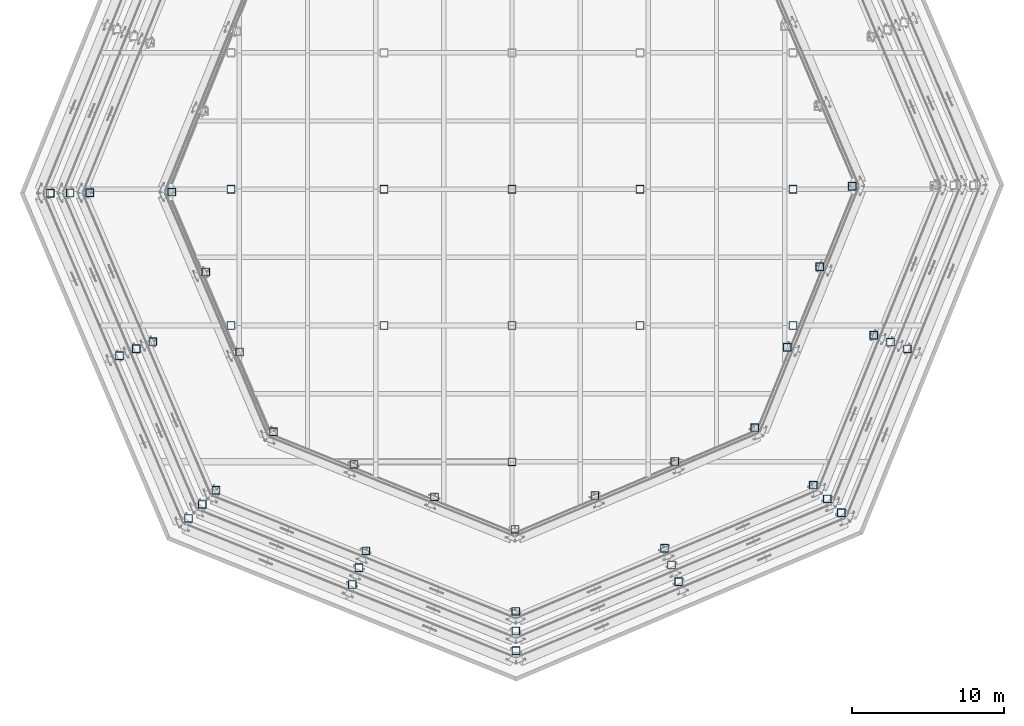
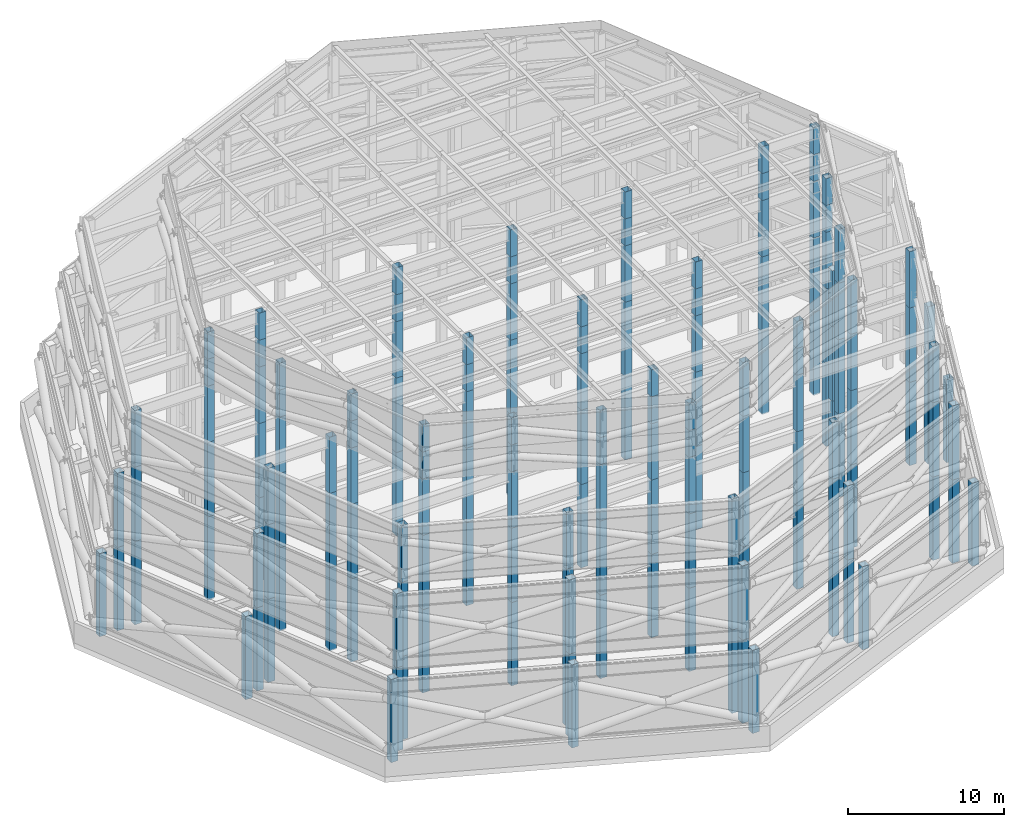
# One storey, part 1 of 19: 164 columns.
"""IFC4 building model written with IfcOpenShell, lengths in metres."""

from ifc_helpers import new_model, si_unit, direction, frame, origin, origin_2d, place, context, subcontext, project, spatial, hollow_rectangle, extrude, material, material_profile, profile_set, type_object, element, save


model = new_model("IFC4")

# Units and contexts
model_context = context("Model", 3, precision=1e-05, world=origin(), true_north=direction((0.0, 1.0)))
body_context = subcontext(model_context, "Body", "Model", "MODEL_VIEW")
ifc_project = project(units=[si_unit("LENGTHUNIT", "METRE"), si_unit("AREAUNIT", "SQUARE_METRE"), si_unit("VOLUMEUNIT", "CUBIC_METRE"), si_unit("PLANEANGLEUNIT", "RADIAN"), si_unit("MASSUNIT", "GRAM", prefix="KILO")], contexts=[model_context])

# Site, building, storey
site_placement = place(None, origin())
site = spatial("IfcSite", under=ifc_project, at=site_placement, CompositionType="ELEMENT")
building_placement = place(site_placement, origin())
building = spatial("IfcBuilding", under=site, at=building_placement, Name="Orlundy Tower", CompositionType="ELEMENT")
storey_placement = place(building_placement, frame((0.0, 0.0, 304.300048828125)))
storey = spatial("IfcBuildingStorey", under=building, at=storey_placement, Name="Roof", CompositionType="ELEMENT", Elevation=304.300048828125)

# Columns
ifc_material = material(Name="Steel ASTM A500 Gr C", Category="steel")
ifc_material_profile = material_profile(ifc_material, hollow_rectangle(XDim=0.508056640625, YDim=0.508056640625, WallThickness=0.017578125, at=origin_2d()), Name="HSS20X20X3/4")
ifc_profile_set = profile_set([ifc_material_profile], Name="Steel ASTM A500 Gr C")
column_type = type_object("IfcColumnType", Name="CROWN FRAME column HSS20X20X3/4", PredefinedType="COLUMN", material=ifc_profile_set)
for number, where, z_axis, x_axis, name in (
    (1, (-30.4638671875, -0.26611328125, 0.0), (0.0, 0.0, 1.0), (1.0, 0.0, 0.0), "CROWN FRAME post 1-07"),
    (2, (-25.908447265625, -10.997802734375, 0.0), (0.0, 0.0, 1.0), (1.0, 0.0, 0.0), "CROWN FRAME post 1-08"),
    (3, (-21.35302734375, -21.729248046875, 0.0), (0.0, 0.0, 1.0), (1.0, 0.0, 0.0), "CROWN FRAME post 1-09"),
    (4, (-10.54345703125, -26.0966796875, 0.0), (0.0, 0.0, 1.0), (1.0, 0.0, 0.0), "CROWN FRAME post 1-10"),
    (5, (0.26611328125, -30.4638671875, 0.0), (0.0, 0.0, 1.0), (1.0, 0.0, 0.0), "CROWN FRAME post 1-11"),
    (6, (10.997802734375, -25.908447265625, 0.0), (0.0, 0.0, 1.0), (1.0, 0.0, 0.0), "CROWN FRAME post 1-12"),
    (7, (21.729248046875, -21.35302734375, 0.0), (0.0, 0.0, 1.0), (1.0, 0.0, 0.0), "CROWN FRAME post 1-13"),
    (8, (26.0966796875, -10.54345703125, 0.0), (0.0, 0.0, 1.0), (1.0, 0.0, 0.0), "CROWN FRAME post 1-14"),
):
    element("IfcColumn", number, at=place(storey_placement, frame(where, z_axis=z_axis, x_axis=x_axis)), inside=storey, type_object=column_type, Name=name, PredefinedType="COLUMN", context=body_context, shape_type="SweptSolid", body=[
        extrude(hollow_rectangle(XDim=0.508056640625, YDim=0.508056640625, WallThickness=0.017578125, at=origin_2d()), origin(), (0.0, 0.0, 1.0), 6.47998046875),
    ])
for number, where, z_axis, x_axis, name in (
    (9, (-29.1650390625, -0.254638671875, 6.5), (0.0, 0.0, 1.0), (1.0, 0.0, 0.0), "CROWN FRAME post 2-07"),
    (10, (-24.803955078125, -10.52880859375, 6.5), (0.0, 0.0, 1.0), (1.0, 0.0, 0.0), "CROWN FRAME post 2-08"),
    (11, (-20.442626953125, -20.802978515625, 6.5), (0.0, 0.0, 1.0), (1.0, 0.0, 0.0), "CROWN FRAME post 2-09"),
    (12, (-10.093994140625, -24.98388671875, 6.5), (0.0, 0.0, 1.0), (1.0, 0.0, 0.0), "CROWN FRAME post 2-10"),
    (13, (0.254638671875, -29.1650390625, 6.5), (0.0, 0.0, 1.0), (1.0, 0.0, 0.0), "CROWN FRAME post 2-11"),
    (14, (10.52880859375, -24.803955078125, 6.5), (0.0, 0.0, 1.0), (1.0, 0.0, 0.0), "CROWN FRAME post 2-12"),
    (15, (20.802978515625, -20.442626953125, 6.5), (0.0, 0.0, 1.0), (1.0, 0.0, 0.0), "CROWN FRAME post 2-13"),
    (16, (24.98388671875, -10.093994140625, 6.5), (0.0, 0.0, 1.0), (1.0, 0.0, 0.0), "CROWN FRAME post 2-14"),
):
    element("IfcColumn", number, at=place(storey_placement, frame(where, z_axis=z_axis, x_axis=x_axis)), inside=storey, type_object=column_type, Name=name, PredefinedType="COLUMN", context=body_context, shape_type="SweptSolid", body=[
        extrude(hollow_rectangle(XDim=0.508056640625, YDim=0.508056640625, WallThickness=0.017578125, at=origin_2d()), origin(), (0.0, 0.0, 1.0), 5.780029296875),
    ])
for number, where, z_axis, x_axis, name in (
    (17, (-27.8662109375, -0.243408203125, 12.300048828125), (0.0, 0.0, 1.0), (1.0, 0.0, 0.0), "CROWN FRAME post 3-07"),
    (18, (-23.69921875, -10.059814453125, 12.300048828125), (0.0, 0.0, 1.0), (1.0, 0.0, 0.0), "CROWN FRAME post 3-08"),
    (19, (-19.5322265625, -19.87646484375, 12.300048828125), (0.0, 0.0, 1.0), (1.0, 0.0, 0.0), "CROWN FRAME post 3-09"),
    (20, (-9.64453125, -23.871337890625, 12.300048828125), (0.0, 0.0, 1.0), (1.0, 0.0, 0.0), "CROWN FRAME post 3-10"),
    (21, (0.243408203125, -27.8662109375, 12.300048828125), (0.0, 0.0, 1.0), (1.0, 0.0, 0.0), "CROWN FRAME post 3-11"),
    (22, (10.059814453125, -23.69921875, 12.300048828125), (0.0, 0.0, 1.0), (1.0, 0.0, 0.0), "CROWN FRAME post 3-12"),
    (23, (19.87646484375, -19.5322265625, 12.300048828125), (0.0, 0.0, 1.0), (1.0, 0.0, 0.0), "CROWN FRAME post 3-13"),
    (24, (23.871337890625, -9.64453125, 12.300048828125), (0.0, 0.0, 1.0), (1.0, 0.0, 0.0), "CROWN FRAME post 3-14"),
):
    element("IfcColumn", number, at=place(storey_placement, frame(where, z_axis=z_axis, x_axis=x_axis)), inside=storey, type_object=column_type, Name=name, PredefinedType="COLUMN", context=body_context, shape_type="SweptSolid", body=[
        extrude(hollow_rectangle(XDim=0.508056640625, YDim=0.508056640625, WallThickness=0.017578125, at=origin_2d()), origin(), (0.0, 0.0, 1.0), 4.39990234375),
    ])
for number, where, z_axis, x_axis, name in (
    (25, (-22.45458984375, -0.196044921875, 16.699951171875), (0.0, 0.0, 1.0), (1.0, 0.0, 0.0), "CROWN FRAME post 4-10"),
    (26, (-20.216064453125, -5.469482421875, 16.699951171875), (0.0, 0.0, 1.0), (1.0, 0.0, 0.0), "CROWN FRAME post 4-11"),
    (27, (-17.9775390625, -10.742919921875, 16.699951171875), (0.0, 0.0, 1.0), (1.0, 0.0, 0.0), "CROWN FRAME post 4-12"),
    (28, (-15.739013671875, -16.016357421875, 16.699951171875), (0.0, 0.0, 1.0), (1.0, 0.0, 0.0), "CROWN FRAME post 4-13"),
    (29, (-10.42724609375, -18.162353515625, 16.699951171875), (0.0, 0.0, 1.0), (1.0, 0.0, 0.0), "CROWN FRAME post 4-14"),
    (30, (-5.115478515625, -20.308349609375, 16.699951171875), (0.0, 0.0, 1.0), (1.0, 0.0, 0.0), "CROWN FRAME post 4-15"),
    (31, (0.196044921875, -22.45458984375, 16.699951171875), (0.0, 0.0, 1.0), (1.0, 0.0, 0.0), "CROWN FRAME post 4-16"),
    (32, (5.469482421875, -20.216064453125, 16.699951171875), (0.0, 0.0, 1.0), (1.0, 0.0, 0.0), "CROWN FRAME post 4-17"),
    (33, (10.742919921875, -17.9775390625, 16.699951171875), (0.0, 0.0, 1.0), (1.0, 0.0, 0.0), "CROWN FRAME post 4-18"),
    (34, (16.016357421875, -15.739013671875, 16.699951171875), (0.0, 0.0, 1.0), (1.0, 0.0, 0.0), "CROWN FRAME post 4-19"),
    (35, (18.162353515625, -10.42724609375, 16.699951171875), (0.0, 0.0, 1.0), (1.0, 0.0, 0.0), "CROWN FRAME post 4-20"),
    (36, (20.308349609375, -5.115478515625, 16.699951171875), (0.0, 0.0, 1.0), (1.0, 0.0, 0.0), "CROWN FRAME post 4-21"),
    (37, (22.45458984375, 0.196044921875, 16.699951171875), (0.0, 0.0, 1.0), (1.0, 0.0, 0.0), "CROWN FRAME post 4-22"),
):
    element("IfcColumn", number, at=place(storey_placement, frame(where, z_axis=z_axis, x_axis=x_axis)), inside=storey, type_object=column_type, Name=name, PredefinedType="COLUMN", context=body_context, shape_type="SweptSolid", body=[
        extrude(hollow_rectangle(XDim=0.508056640625, YDim=0.508056640625, WallThickness=0.017578125, at=origin_2d()), origin(), (0.0, 0.0, 1.0), 2.10009765625),
    ])
for number, where, z_axis, x_axis, name in (
    (38, (-22.45458984375, -0.196044921875, 18.800048828125), (0.0, 0.0, 1.0), (1.0, 0.0, 0.0), "CROWN FRAME post 5-10"),
    (39, (-20.216064453125, -5.469482421875, 18.800048828125), (0.0, 0.0, 1.0), (1.0, 0.0, 0.0), "CROWN FRAME post 5-11"),
    (40, (-17.9775390625, -10.742919921875, 18.800048828125), (0.0, 0.0, 1.0), (1.0, 0.0, 0.0), "CROWN FRAME post 5-12"),
    (41, (-15.739013671875, -16.016357421875, 18.800048828125), (0.0, 0.0, 1.0), (1.0, 0.0, 0.0), "CROWN FRAME post 5-13"),
    (42, (-10.42724609375, -18.162353515625, 18.800048828125), (0.0, 0.0, 1.0), (1.0, 0.0, 0.0), "CROWN FRAME post 5-14"),
    (43, (-5.115478515625, -20.308349609375, 18.800048828125), (0.0, 0.0, 1.0), (1.0, 0.0, 0.0), "CROWN FRAME post 5-15"),
    (44, (0.196044921875, -22.45458984375, 18.800048828125), (0.0, 0.0, 1.0), (1.0, 0.0, 0.0), "CROWN FRAME post 5-16"),
    (45, (5.469482421875, -20.216064453125, 18.800048828125), (0.0, 0.0, 1.0), (1.0, 0.0, 0.0), "CROWN FRAME post 5-17"),
    (46, (10.742919921875, -17.9775390625, 18.800048828125), (0.0, 0.0, 1.0), (1.0, 0.0, 0.0), "CROWN FRAME post 5-18"),
    (47, (16.016357421875, -15.739013671875, 18.800048828125), (0.0, 0.0, 1.0), (1.0, 0.0, 0.0), "CROWN FRAME post 5-19"),
    (48, (18.162353515625, -10.42724609375, 18.800048828125), (0.0, 0.0, 1.0), (1.0, 0.0, 0.0), "CROWN FRAME post 5-20"),
    (49, (20.308349609375, -5.115478515625, 18.800048828125), (0.0, 0.0, 1.0), (1.0, 0.0, 0.0), "CROWN FRAME post 5-21"),
    (50, (22.45458984375, 0.196044921875, 18.800048828125), (0.0, 0.0, 1.0), (1.0, 0.0, 0.0), "CROWN FRAME post 5-22"),
):
    element("IfcColumn", number, at=place(storey_placement, frame(where, z_axis=z_axis, x_axis=x_axis)), inside=storey, type_object=column_type, Name=name, PredefinedType="COLUMN", context=body_context, shape_type="SweptSolid", body=[
        extrude(hollow_rectangle(XDim=0.508056640625, YDim=0.508056640625, WallThickness=0.017578125, at=origin_2d()), origin(), (0.0, 0.0, 1.0), 2.099853515625),
    ])
for number, where, z_axis, x_axis, name in (
    (51, (-18.550048828125, -9.0, 0.0), (0.0, 0.0, 1.0), (1.0, 0.0, 0.0), "CROWN FRAME interior post 01 frame 1"),
    (52, (-18.550048828125, 0.0, 0.0), (0.0, 0.0, 1.0), (1.0, 0.0, 0.0), "CROWN FRAME interior post 02 frame 1"),
    (53, (-8.449951171875, -9.0, 0.0), (0.0, 0.0, 1.0), (1.0, 0.0, 0.0), "CROWN FRAME interior post 04 frame 1"),
    (54, (-8.449951171875, 0.0, 0.0), (0.0, 0.0, 1.0), (1.0, 0.0, 0.0), "CROWN FRAME interior post 05 frame 1"),
    (55, (0.0, -18.0, 0.0), (0.0, 0.0, 1.0), (1.0, 0.0, 0.0), "CROWN FRAME interior post 07 frame 1"),
    (56, (0.0, -9.0, 0.0), (0.0, 0.0, 1.0), (1.0, 0.0, 0.0), "CROWN FRAME interior post 08 frame 1"),
    (57, (0.0, 0.0, 0.0), (0.0, 0.0, 1.0), (1.0, 0.0, 0.0), "CROWN FRAME interior post 09 frame 1"),
    (58, (8.449951171875, -9.0, 0.0), (0.0, 0.0, 1.0), (1.0, 0.0, 0.0), "CROWN FRAME interior post 12 frame 1"),
    (59, (8.449951171875, 0.0, 0.0), (0.0, 0.0, 1.0), (1.0, 0.0, 0.0), "CROWN FRAME interior post 13 frame 1"),
    (60, (18.550048828125, -9.0, 0.0), (0.0, 0.0, 1.0), (1.0, 0.0, 0.0), "CROWN FRAME interior post 15 frame 1"),
    (61, (18.550048828125, 0.0, 0.0), (0.0, 0.0, 1.0), (1.0, 0.0, 0.0), "CROWN FRAME interior post 16 frame 1"),
    (62, (-29.1650390625, -0.254638671875, 0.0), (0.0, 0.0, 1.0), (1.0, 0.0, 0.0), "CROWN FRAME interior post 24 frame 1"),
    (63, (-24.803955078125, -10.52880859375, 0.0), (0.0, 0.0, 1.0), (1.0, 0.0, 0.0), "CROWN FRAME interior post 25 frame 1"),
    (64, (-20.442626953125, -20.802978515625, 0.0), (0.0, 0.0, 1.0), (1.0, 0.0, 0.0), "CROWN FRAME interior post 26 frame 1"),
    (65, (-10.093994140625, -24.98388671875, 0.0), (0.0, 0.0, 1.0), (1.0, 0.0, 0.0), "CROWN FRAME interior post 27 frame 1"),
    (66, (0.254638671875, -29.1650390625, 0.0), (0.0, 0.0, 1.0), (1.0, 0.0, 0.0), "CROWN FRAME interior post 28 frame 1"),
    (67, (10.52880859375, -24.803955078125, 0.0), (0.0, 0.0, 1.0), (1.0, 0.0, 0.0), "CROWN FRAME interior post 29 frame 1"),
    (68, (20.802978515625, -20.442626953125, 0.0), (0.0, 0.0, 1.0), (1.0, 0.0, 0.0), "CROWN FRAME interior post 30 frame 1"),
    (69, (24.98388671875, -10.093994140625, 0.0), (0.0, 0.0, 1.0), (1.0, 0.0, 0.0), "CROWN FRAME interior post 31 frame 1"),
    (70, (-27.8662109375, -0.243408203125, 0.0), (0.0, 0.0, 1.0), (1.0, 0.0, 0.0), "CROWN FRAME interior post 40 frame 1"),
    (71, (-23.69921875, -10.059814453125, 0.0), (0.0, 0.0, 1.0), (1.0, 0.0, 0.0), "CROWN FRAME interior post 41 frame 1"),
    (72, (-19.5322265625, -19.87646484375, 0.0), (0.0, 0.0, 1.0), (1.0, 0.0, 0.0), "CROWN FRAME interior post 42 frame 1"),
    (73, (-9.64453125, -23.871337890625, 0.0), (0.0, 0.0, 1.0), (1.0, 0.0, 0.0), "CROWN FRAME interior post 43 frame 1"),
    (74, (0.243408203125, -27.8662109375, 0.0), (0.0, 0.0, 1.0), (1.0, 0.0, 0.0), "CROWN FRAME interior post 44 frame 1"),
    (75, (10.059814453125, -23.69921875, 0.0), (0.0, 0.0, 1.0), (1.0, 0.0, 0.0), "CROWN FRAME interior post 45 frame 1"),
    (76, (19.87646484375, -19.5322265625, 0.0), (0.0, 0.0, 1.0), (1.0, 0.0, 0.0), "CROWN FRAME interior post 46 frame 1"),
    (77, (23.871337890625, -9.64453125, 0.0), (0.0, 0.0, 1.0), (1.0, 0.0, 0.0), "CROWN FRAME interior post 47 frame 1"),
    (78, (-22.45458984375, -0.196044921875, 0.0), (0.0, 0.0, 1.0), (1.0, 0.0, 0.0), "CROWN FRAME interior post 59 frame 1"),
    (79, (-20.216064453125, -5.469482421875, 0.0), (0.0, 0.0, 1.0), (1.0, 0.0, 0.0), "CROWN FRAME interior post 60 frame 1"),
    (80, (-17.9775390625, -10.742919921875, 0.0), (0.0, 0.0, 1.0), (1.0, 0.0, 0.0), "CROWN FRAME interior post 61 frame 1"),
    (81, (-15.739013671875, -16.016357421875, 0.0), (0.0, 0.0, 1.0), (1.0, 0.0, 0.0), "CROWN FRAME interior post 62 frame 1"),
    (82, (-10.42724609375, -18.162353515625, 0.0), (0.0, 0.0, 1.0), (1.0, 0.0, 0.0), "CROWN FRAME interior post 63 frame 1"),
    (83, (-5.115478515625, -20.308349609375, 0.0), (0.0, 0.0, 1.0), (1.0, 0.0, 0.0), "CROWN FRAME interior post 64 frame 1"),
    (84, (0.196044921875, -22.45458984375, 0.0), (0.0, 0.0, 1.0), (1.0, 0.0, 0.0), "CROWN FRAME interior post 65 frame 1"),
    (85, (5.469482421875, -20.216064453125, 0.0), (0.0, 0.0, 1.0), (1.0, 0.0, 0.0), "CROWN FRAME interior post 66 frame 1"),
    (86, (10.742919921875, -17.9775390625, 0.0), (0.0, 0.0, 1.0), (1.0, 0.0, 0.0), "CROWN FRAME interior post 67 frame 1"),
    (87, (16.016357421875, -15.739013671875, 0.0), (0.0, 0.0, 1.0), (1.0, 0.0, 0.0), "CROWN FRAME interior post 68 frame 1"),
    (88, (18.162353515625, -10.42724609375, 0.0), (0.0, 0.0, 1.0), (1.0, 0.0, 0.0), "CROWN FRAME interior post 69 frame 1"),
    (89, (20.308349609375, -5.115478515625, 0.0), (0.0, 0.0, 1.0), (1.0, 0.0, 0.0), "CROWN FRAME interior post 70 frame 1"),
    (90, (22.45458984375, 0.196044921875, 0.0), (0.0, 0.0, 1.0), (1.0, 0.0, 0.0), "CROWN FRAME interior post 71 frame 1"),
):
    element("IfcColumn", number, at=place(storey_placement, frame(where, z_axis=z_axis, x_axis=x_axis)), inside=storey, type_object=column_type, Name=name, PredefinedType="COLUMN", context=body_context, shape_type="SweptSolid", body=[
        extrude(hollow_rectangle(XDim=0.508056640625, YDim=0.508056640625, WallThickness=0.017578125, at=origin_2d()), origin(), (0.0, 0.0, 1.0), 6.5),
    ])
for number, where, z_axis, x_axis, name in (
    (91, (-18.550048828125, -9.0, 6.5), (0.0, 0.0, 1.0), (1.0, 0.0, 0.0), "CROWN FRAME interior post 01 frame 2"),
    (92, (-18.550048828125, 0.0, 6.5), (0.0, 0.0, 1.0), (1.0, 0.0, 0.0), "CROWN FRAME interior post 02 frame 2"),
    (93, (-8.449951171875, -9.0, 6.5), (0.0, 0.0, 1.0), (1.0, 0.0, 0.0), "CROWN FRAME interior post 04 frame 2"),
    (94, (-8.449951171875, 0.0, 6.5), (0.0, 0.0, 1.0), (1.0, 0.0, 0.0), "CROWN FRAME interior post 05 frame 2"),
    (95, (0.0, -18.0, 6.5), (0.0, 0.0, 1.0), (1.0, 0.0, 0.0), "CROWN FRAME interior post 07 frame 2"),
    (96, (0.0, -9.0, 6.5), (0.0, 0.0, 1.0), (1.0, 0.0, 0.0), "CROWN FRAME interior post 08 frame 2"),
    (97, (0.0, 0.0, 6.5), (0.0, 0.0, 1.0), (1.0, 0.0, 0.0), "CROWN FRAME interior post 09 frame 2"),
    (98, (8.449951171875, -9.0, 6.5), (0.0, 0.0, 1.0), (1.0, 0.0, 0.0), "CROWN FRAME interior post 12 frame 2"),
    (99, (8.449951171875, 0.0, 6.5), (0.0, 0.0, 1.0), (1.0, 0.0, 0.0), "CROWN FRAME interior post 13 frame 2"),
    (100, (18.550048828125, -9.0, 6.5), (0.0, 0.0, 1.0), (1.0, 0.0, 0.0), "CROWN FRAME interior post 15 frame 2"),
    (101, (18.550048828125, 0.0, 6.5), (0.0, 0.0, 1.0), (1.0, 0.0, 0.0), "CROWN FRAME interior post 16 frame 2"),
    (102, (-27.8662109375, -0.243408203125, 6.5), (0.0, 0.0, 1.0), (1.0, 0.0, 0.0), "CROWN FRAME interior post 24 frame 2"),
    (103, (-23.69921875, -10.059814453125, 6.5), (0.0, 0.0, 1.0), (1.0, 0.0, 0.0), "CROWN FRAME interior post 25 frame 2"),
    (104, (-19.5322265625, -19.87646484375, 6.5), (0.0, 0.0, 1.0), (1.0, 0.0, 0.0), "CROWN FRAME interior post 26 frame 2"),
    (105, (-9.64453125, -23.871337890625, 6.5), (0.0, 0.0, 1.0), (1.0, 0.0, 0.0), "CROWN FRAME interior post 27 frame 2"),
    (106, (0.243408203125, -27.8662109375, 6.5), (0.0, 0.0, 1.0), (1.0, 0.0, 0.0), "CROWN FRAME interior post 28 frame 2"),
    (107, (10.059814453125, -23.69921875, 6.5), (0.0, 0.0, 1.0), (1.0, 0.0, 0.0), "CROWN FRAME interior post 29 frame 2"),
    (108, (19.87646484375, -19.5322265625, 6.5), (0.0, 0.0, 1.0), (1.0, 0.0, 0.0), "CROWN FRAME interior post 30 frame 2"),
    (109, (23.871337890625, -9.64453125, 6.5), (0.0, 0.0, 1.0), (1.0, 0.0, 0.0), "CROWN FRAME interior post 31 frame 2"),
    (110, (-22.45458984375, -0.196044921875, 6.5), (0.0, 0.0, 1.0), (1.0, 0.0, 0.0), "CROWN FRAME interior post 43 frame 2"),
    (111, (-20.216064453125, -5.469482421875, 6.5), (0.0, 0.0, 1.0), (1.0, 0.0, 0.0), "CROWN FRAME interior post 44 frame 2"),
    (112, (-17.9775390625, -10.742919921875, 6.5), (0.0, 0.0, 1.0), (1.0, 0.0, 0.0), "CROWN FRAME interior post 45 frame 2"),
    (113, (-15.739013671875, -16.016357421875, 6.5), (0.0, 0.0, 1.0), (1.0, 0.0, 0.0), "CROWN FRAME interior post 46 frame 2"),
    (114, (-10.42724609375, -18.162353515625, 6.5), (0.0, 0.0, 1.0), (1.0, 0.0, 0.0), "CROWN FRAME interior post 47 frame 2"),
    (115, (-5.115478515625, -20.308349609375, 6.5), (0.0, 0.0, 1.0), (1.0, 0.0, 0.0), "CROWN FRAME interior post 48 frame 2"),
    (116, (0.196044921875, -22.45458984375, 6.5), (0.0, 0.0, 1.0), (1.0, 0.0, 0.0), "CROWN FRAME interior post 49 frame 2"),
    (117, (5.469482421875, -20.216064453125, 6.5), (0.0, 0.0, 1.0), (1.0, 0.0, 0.0), "CROWN FRAME interior post 50 frame 2"),
    (118, (10.742919921875, -17.9775390625, 6.5), (0.0, 0.0, 1.0), (1.0, 0.0, 0.0), "CROWN FRAME interior post 51 frame 2"),
    (119, (16.016357421875, -15.739013671875, 6.5), (0.0, 0.0, 1.0), (1.0, 0.0, 0.0), "CROWN FRAME interior post 52 frame 2"),
    (120, (18.162353515625, -10.42724609375, 6.5), (0.0, 0.0, 1.0), (1.0, 0.0, 0.0), "CROWN FRAME interior post 53 frame 2"),
    (121, (20.308349609375, -5.115478515625, 6.5), (0.0, 0.0, 1.0), (1.0, 0.0, 0.0), "CROWN FRAME interior post 54 frame 2"),
    (122, (22.45458984375, 0.196044921875, 6.5), (0.0, 0.0, 1.0), (1.0, 0.0, 0.0), "CROWN FRAME interior post 55 frame 2"),
):
    element("IfcColumn", number, at=place(storey_placement, frame(where, z_axis=z_axis, x_axis=x_axis)), inside=storey, type_object=column_type, Name=name, PredefinedType="COLUMN", context=body_context, shape_type="SweptSolid", body=[
        extrude(hollow_rectangle(XDim=0.508056640625, YDim=0.508056640625, WallThickness=0.017578125, at=origin_2d()), origin(), (0.0, 0.0, 1.0), 5.800048828125),
    ])
column_1_placement = place(storey_placement, frame((-18.550048828125, -9.0, 12.300048828125), z_axis=(0.0, 0.0, 1.0), x_axis=(1.0, 0.0, 0.0)))
element("IfcColumn", 123, at=column_1_placement, inside=storey, type_object=column_type, Name="CROWN FRAME interior post 01 frame 3", PredefinedType="COLUMN", context=body_context, shape_type="SweptSolid", body=[
    extrude(hollow_rectangle(XDim=0.508056640625, YDim=0.508056640625, WallThickness=0.017578125, at=origin_2d()), origin(), (0.0, 0.0, 1.0), 4.3798828125),
])
for number, where, z_axis, x_axis, name in (
    (124, (-18.550048828125, 0.0, 12.300048828125), (0.0, 0.0, 1.0), (1.0, 0.0, 0.0), "CROWN FRAME interior post 02 frame 3"),
    (125, (-8.449951171875, -9.0, 12.300048828125), (0.0, 0.0, 1.0), (1.0, 0.0, 0.0), "CROWN FRAME interior post 04 frame 3"),
    (126, (-8.449951171875, 0.0, 12.300048828125), (0.0, 0.0, 1.0), (1.0, 0.0, 0.0), "CROWN FRAME interior post 05 frame 3"),
    (127, (0.0, -18.0, 12.300048828125), (0.0, 0.0, 1.0), (1.0, 0.0, 0.0), "CROWN FRAME interior post 07 frame 3"),
    (128, (0.0, -9.0, 12.300048828125), (0.0, 0.0, 1.0), (1.0, 0.0, 0.0), "CROWN FRAME interior post 08 frame 3"),
    (129, (0.0, 0.0, 12.300048828125), (0.0, 0.0, 1.0), (1.0, 0.0, 0.0), "CROWN FRAME interior post 09 frame 3"),
    (130, (8.449951171875, -9.0, 12.300048828125), (0.0, 0.0, 1.0), (1.0, 0.0, 0.0), "CROWN FRAME interior post 12 frame 3"),
    (131, (8.449951171875, 0.0, 12.300048828125), (0.0, 0.0, 1.0), (1.0, 0.0, 0.0), "CROWN FRAME interior post 13 frame 3"),
):
    element("IfcColumn", number, at=place(storey_placement, frame(where, z_axis=z_axis, x_axis=x_axis)), inside=storey, type_object=column_type, Name=name, PredefinedType="COLUMN", context=body_context, shape_type="SweptSolid", body=[
        extrude(hollow_rectangle(XDim=0.508056640625, YDim=0.508056640625, WallThickness=0.017578125, at=origin_2d()), origin(), (0.0, 0.0, 1.0), 4.39990234375),
    ])
column_2_placement = place(storey_placement, frame((18.550048828125, -9.0, 12.300048828125), z_axis=(0.0, 0.0, 1.0), x_axis=(1.0, 0.0, 0.0)))
element("IfcColumn", 132, at=column_2_placement, inside=storey, type_object=column_type, Name="CROWN FRAME interior post 15 frame 3", PredefinedType="COLUMN", context=body_context, shape_type="SweptSolid", body=[
    extrude(hollow_rectangle(XDim=0.508056640625, YDim=0.508056640625, WallThickness=0.017578125, at=origin_2d()), origin(), (0.0, 0.0, 1.0), 4.3798828125),
])
for number, where, z_axis, x_axis, name in (
    (133, (18.550048828125, 0.0, 12.300048828125), (0.0, 0.0, 1.0), (1.0, 0.0, 0.0), "CROWN FRAME interior post 16 frame 3"),
    (134, (-22.45458984375, -0.196044921875, 12.300048828125), (0.0, 0.0, 1.0), (1.0, 0.0, 0.0), "CROWN FRAME interior post 27 frame 3"),
    (135, (-20.216064453125, -5.469482421875, 12.300048828125), (0.0, 0.0, 1.0), (1.0, 0.0, 0.0), "CROWN FRAME interior post 28 frame 3"),
    (136, (-17.9775390625, -10.742919921875, 12.300048828125), (0.0, 0.0, 1.0), (1.0, 0.0, 0.0), "CROWN FRAME interior post 29 frame 3"),
    (137, (-15.739013671875, -16.016357421875, 12.300048828125), (0.0, 0.0, 1.0), (1.0, 0.0, 0.0), "CROWN FRAME interior post 30 frame 3"),
    (138, (-10.42724609375, -18.162353515625, 12.300048828125), (0.0, 0.0, 1.0), (1.0, 0.0, 0.0), "CROWN FRAME interior post 31 frame 3"),
    (139, (-5.115478515625, -20.308349609375, 12.300048828125), (0.0, 0.0, 1.0), (1.0, 0.0, 0.0), "CROWN FRAME interior post 32 frame 3"),
    (140, (0.196044921875, -22.45458984375, 12.300048828125), (0.0, 0.0, 1.0), (1.0, 0.0, 0.0), "CROWN FRAME interior post 33 frame 3"),
    (141, (5.469482421875, -20.216064453125, 12.300048828125), (0.0, 0.0, 1.0), (1.0, 0.0, 0.0), "CROWN FRAME interior post 34 frame 3"),
    (142, (10.742919921875, -17.9775390625, 12.300048828125), (0.0, 0.0, 1.0), (1.0, 0.0, 0.0), "CROWN FRAME interior post 35 frame 3"),
    (143, (16.016357421875, -15.739013671875, 12.300048828125), (0.0, 0.0, 1.0), (1.0, 0.0, 0.0), "CROWN FRAME interior post 36 frame 3"),
    (144, (18.162353515625, -10.42724609375, 12.300048828125), (0.0, 0.0, 1.0), (1.0, 0.0, 0.0), "CROWN FRAME interior post 37 frame 3"),
    (145, (20.308349609375, -5.115478515625, 12.300048828125), (0.0, 0.0, 1.0), (1.0, 0.0, 0.0), "CROWN FRAME interior post 38 frame 3"),
    (146, (22.45458984375, 0.196044921875, 12.300048828125), (0.0, 0.0, 1.0), (1.0, 0.0, 0.0), "CROWN FRAME interior post 39 frame 3"),
):
    element("IfcColumn", number, at=place(storey_placement, frame(where, z_axis=z_axis, x_axis=x_axis)), inside=storey, type_object=column_type, Name=name, PredefinedType="COLUMN", context=body_context, shape_type="SweptSolid", body=[
        extrude(hollow_rectangle(XDim=0.508056640625, YDim=0.508056640625, WallThickness=0.017578125, at=origin_2d()), origin(), (0.0, 0.0, 1.0), 4.39990234375),
    ])
for number, where, z_axis, x_axis, name in (
    (147, (-18.550048828125, 0.0, 16.699951171875), (0.0, 0.0, 1.0), (1.0, 0.0, 0.0), "CROWN FRAME interior post 01 frame 4"),
    (148, (-8.449951171875, -9.0, 16.699951171875), (0.0, 0.0, 1.0), (1.0, 0.0, 0.0), "CROWN FRAME interior post 02 frame 4"),
    (149, (-8.449951171875, 0.0, 16.699951171875), (0.0, 0.0, 1.0), (1.0, 0.0, 0.0), "CROWN FRAME interior post 03 frame 4"),
    (150, (0.0, -18.0, 16.699951171875), (0.0, 0.0, 1.0), (1.0, 0.0, 0.0), "CROWN FRAME interior post 05 frame 4"),
    (151, (0.0, -9.0, 16.699951171875), (0.0, 0.0, 1.0), (1.0, 0.0, 0.0), "CROWN FRAME interior post 06 frame 4"),
    (152, (0.0, 0.0, 16.699951171875), (0.0, 0.0, 1.0), (1.0, 0.0, 0.0), "CROWN FRAME interior post 07 frame 4"),
    (153, (8.449951171875, -9.0, 16.699951171875), (0.0, 0.0, 1.0), (1.0, 0.0, 0.0), "CROWN FRAME interior post 10 frame 4"),
    (154, (8.449951171875, 0.0, 16.699951171875), (0.0, 0.0, 1.0), (1.0, 0.0, 0.0), "CROWN FRAME interior post 11 frame 4"),
    (155, (18.550048828125, 0.0, 16.699951171875), (0.0, 0.0, 1.0), (1.0, 0.0, 0.0), "CROWN FRAME interior post 13 frame 4"),
):
    element("IfcColumn", number, at=place(storey_placement, frame(where, z_axis=z_axis, x_axis=x_axis)), inside=storey, type_object=column_type, Name=name, PredefinedType="COLUMN", context=body_context, shape_type="SweptSolid", body=[
        extrude(hollow_rectangle(XDim=0.508056640625, YDim=0.508056640625, WallThickness=0.017578125, at=origin_2d()), origin(), (0.0, 0.0, 1.0), 2.10009765625),
    ])
for number, where, z_axis, x_axis, name in (
    (156, (-18.550048828125, 0.0, 18.800048828125), (0.0, 0.0, 1.0), (1.0, 0.0, 0.0), "CROWN FRAME interior post 01 frame 5"),
    (157, (-8.449951171875, -9.0, 18.800048828125), (0.0, 0.0, 1.0), (1.0, 0.0, 0.0), "CROWN FRAME interior post 02 frame 5"),
    (158, (-8.449951171875, 0.0, 18.800048828125), (0.0, 0.0, 1.0), (1.0, 0.0, 0.0), "CROWN FRAME interior post 03 frame 5"),
    (159, (0.0, -18.0, 18.800048828125), (0.0, 0.0, 1.0), (1.0, 0.0, 0.0), "CROWN FRAME interior post 05 frame 5"),
    (160, (0.0, -9.0, 18.800048828125), (0.0, 0.0, 1.0), (1.0, 0.0, 0.0), "CROWN FRAME interior post 06 frame 5"),
    (161, (0.0, 0.0, 18.800048828125), (0.0, 0.0, 1.0), (1.0, 0.0, 0.0), "CROWN FRAME interior post 07 frame 5"),
    (162, (8.449951171875, -9.0, 18.800048828125), (0.0, 0.0, 1.0), (1.0, 0.0, 0.0), "CROWN FRAME interior post 10 frame 5"),
    (163, (8.449951171875, 0.0, 18.800048828125), (0.0, 0.0, 1.0), (1.0, 0.0, 0.0), "CROWN FRAME interior post 11 frame 5"),
    (164, (18.550048828125, 0.0, 18.800048828125), (0.0, 0.0, 1.0), (1.0, 0.0, 0.0), "CROWN FRAME interior post 13 frame 5"),
):
    element("IfcColumn", number, at=place(storey_placement, frame(where, z_axis=z_axis, x_axis=x_axis)), inside=storey, type_object=column_type, Name=name, PredefinedType="COLUMN", context=body_context, shape_type="SweptSolid", body=[
        extrude(hollow_rectangle(XDim=0.508056640625, YDim=0.508056640625, WallThickness=0.017578125, at=origin_2d()), origin(), (0.0, 0.0, 1.0), 2.099853515625),
    ])

save(model, "model.ifc")
